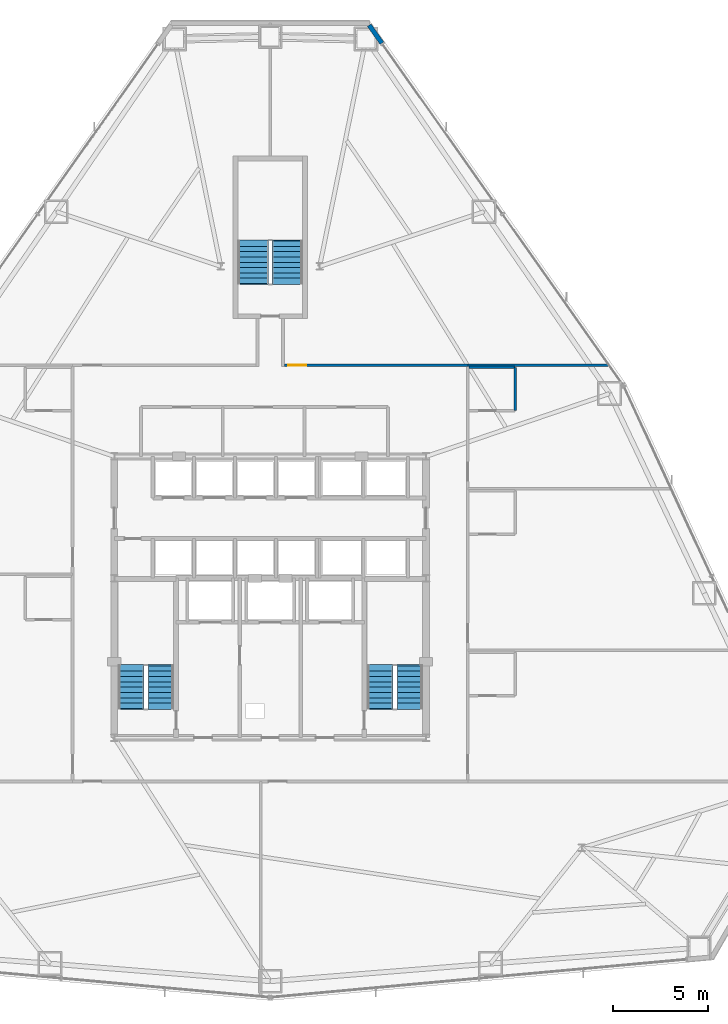
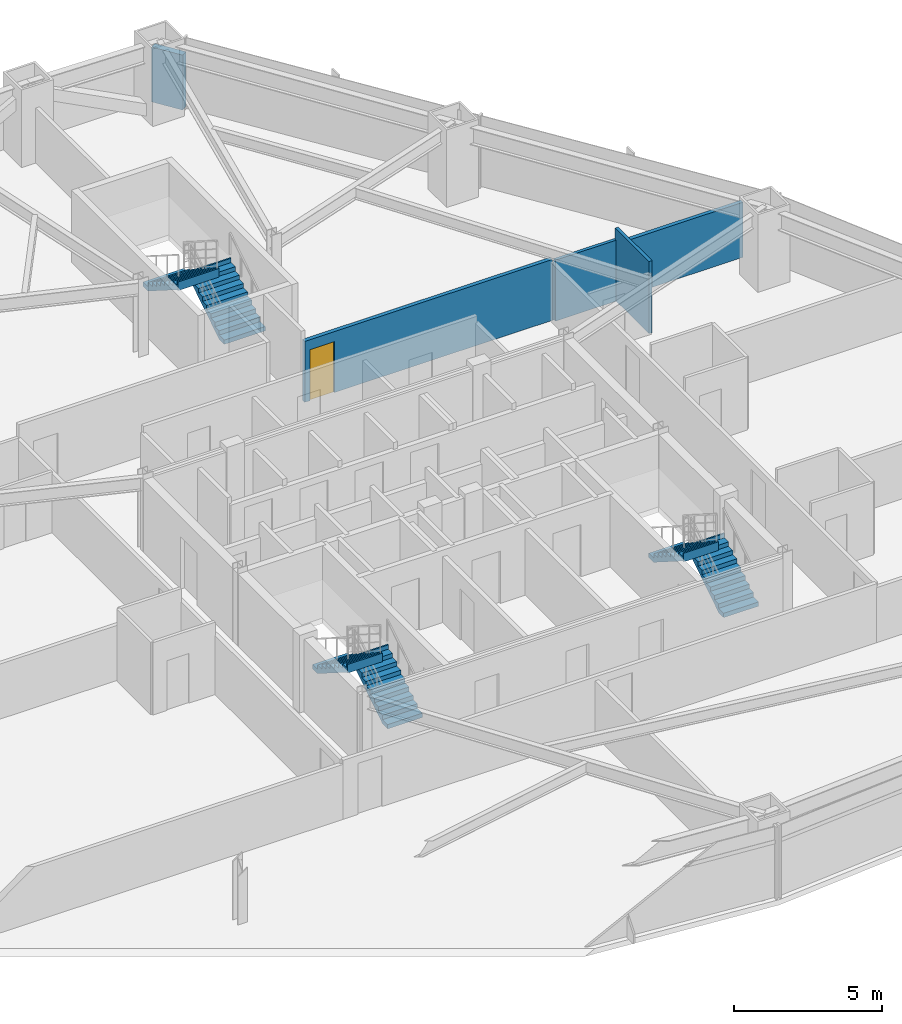
# One storey, part 11 of 12: 6 stair flights, 5 walls, 1 door, 1 opening, 3 elements without a shape of their own.
"""IFC4 building model written with IfcOpenShell, lengths in metres."""

from ifc_helpers import new_model, si_unit, direction, frame, frame_2d, origin, place, context, subcontext, project, spatial, polyline, rectangle, outline, extrude, material, layer, layer_set, type_object, element, fill, aggregate, save


model = new_model("IFC4")

# Units and contexts
model_context = context("Model", 3, precision=1e-05, world=origin(), true_north=direction((0.0, 1.0)))
body_context = subcontext(model_context, "Body", "Model", "MODEL_VIEW")
ifc_project = project(units=[si_unit("LENGTHUNIT", "METRE"), si_unit("AREAUNIT", "SQUARE_METRE"), si_unit("VOLUMEUNIT", "CUBIC_METRE"), si_unit("PLANEANGLEUNIT", "RADIAN"), si_unit("MASSUNIT", "GRAM", prefix="KILO")], contexts=[model_context])

# Site, building, storey
site_placement = place(None, origin())
site = spatial("IfcSite", under=ifc_project, at=site_placement, CompositionType="ELEMENT")
building_placement = place(site_placement, origin())
building = spatial("IfcBuilding", under=site, at=building_placement, Name="Varakhsha Concourse Tower", CompositionType="ELEMENT")
storey_placement = place(building_placement, frame((0.0, 0.0, 40.0)))
storey = spatial("IfcBuildingStorey", under=building, at=storey_placement, Name="L10", CompositionType="ELEMENT", Elevation=40.0)

# Walls
ifc_material_1 = material(Name="Concrete fc 45 MPa", Category="concrete")
ifc_layer_1 = layer(ifc_material_1, 0.239990234375, Name="WL-EXT-CRN-240")
ifc_layer_set_1 = layer_set([ifc_layer_1], Name="Concrete fc 45 MPa")
wall_type_1 = type_object("IfcWallType", Name="WL-EXT-CRN-240", PredefinedType="SHEAR", material=ifc_layer_set_1)
wall_1_placement = place(storey_placement, frame((45.880615234375, 52.94677734375, 0.0), z_axis=(0.0, 0.0, 1.0), x_axis=(-0.576559495442, 0.817055168404, 0.0)))
element("IfcWall", 1, at=wall_1_placement, inside=storey, type_object=wall_type_1, Name="L10 Wind-Corner Shoulder Wall F9", PredefinedType="SHEAR", context=body_context, shape_type="SweptSolid", body=[
    extrude(rectangle(XDim=1.162353515625, YDim=0.239990234375, at=frame_2d((0.5810546875, 0.0))), origin(), (0.0, 0.0, 1.0), 2.262939453125),
])
ifc_material_2 = material(Name="Acoustic Gypsum Board Partition Assembly", Category="gypsum")
ifc_layer_2 = layer(ifc_material_2, 0.1201171875, Name="WL-PART-120")
ifc_layer_set_2 = layer_set([ifc_layer_2], Name="Acoustic Gypsum Board Partition Assembly")
wall_type_2 = type_object("IfcWallType", Name="WL-PART-120", PredefinedType="PARTITIONING", material=ifc_layer_set_2)
wall_2_placement = place(storey_placement, frame((52.889892578125, 33.610107421875, 0.0), z_axis=(0.0, 0.0, 1.0), x_axis=(0.0, 1.0, 0.0)))
element("IfcWall", 2, at=wall_2_placement, inside=storey, type_object=wall_type_2, Name="L10 Wall ENSW-E-L10-H07", PredefinedType="PARTITIONING", context=body_context, shape_type="SweptSolid", body=[
    extrude(rectangle(XDim=2.27978515625, YDim=0.1201171875, at=frame_2d((1.139892578125, 0.0))), origin(), (0.0, 0.0, 1.0), 2.97998046875),
])
wall_3_placement = place(storey_placement, frame((50.4599609375, 35.889892578125, 0.0), z_axis=(0.0, 0.0, 1.0), x_axis=(1.0, 0.0, 0.0)))
element("IfcWall", 3, at=wall_3_placement, inside=storey, type_object=wall_type_2, Name="L10 Wall ENSW-N-L10-H07", PredefinedType="PARTITIONING", context=body_context, shape_type="SweptSolid", body=[
    extrude(rectangle(XDim=2.429931640625, YDim=0.1201171875, at=frame_2d((1.21484375, 0.0))), origin(), (0.0, 0.0, 1.0), 2.512939453125),
])

# Wall, opening, door
ifc_material_3 = material(Name="Fire-Rated Type X Gypsum Partition Assembly", Category="gypsum")
ifc_layer_3 = layer(ifc_material_3, 0.14990234375, Name="WL-PART-150")
ifc_layer_set_3 = layer_set([ifc_layer_3], Name="Fire-Rated Type X Gypsum Partition Assembly")
wall_type_3 = type_object("IfcWallType", Name="WL-PART-150", PredefinedType="PARTITIONING", material=ifc_layer_set_3)
wall_4_placement = place(storey_placement, frame((40.75, 36.0, 0.0), z_axis=(0.0, 0.0, 1.0), x_axis=(1.0, 0.0, 0.0)))
wall_4 = element("IfcWall", 4, at=wall_4_placement, inside=storey, type_object=wall_type_3, Name="L10 Wall CRW-N-L10-B", PredefinedType="PARTITIONING", context=body_context, shape_type="SweptSolid", body=[
    extrude(rectangle(XDim=9.64990234375, YDim=0.14990234375, at=frame_2d((4.824951171875, 0.0))), origin(), (0.0, 0.0, 1.0), 2.512939453125),
])
opening_placement = place(wall_4_placement, frame((0.199951171875, 0.0, 0.0)))
opening = element("IfcOpeningElement", 5, at=opening_placement, cuts=wall_4, Name="Opening DF-05", PredefinedType="OPENING", context=body_context, shape_type="SweptSolid", body=[
    extrude(rectangle(XDim=0.949951171875, YDim=2.10009765625, at=frame_2d((0.47509765625, 1.050048828125))), frame((0.0, 0.0849609375, 0.0), z_axis=(0.0, -1.0, 0.0), x_axis=(1.0, 0.0, 0.0)), (0.0, 0.0, 1.0), 0.169921875),
])
ifc_material_4 = material(Name="Hollow Galvanised Steel Fire Door Assembly", Category="steel")
door_type = type_object("IfcDoorType", Name="DR-FD60-950", OperationType="NOTDEFINED", PredefinedType="DOOR", material=ifc_material_4)
door_placement = place(opening_placement, origin())
door = element("IfcDoor", 6, at=door_placement, inside=storey, type_object=door_type, Name="L10 Hotel Executive Salon L10-H09 Door", OperationType="SINGLE_SWING_LEFT", OverallHeight=2.10009765625, OverallWidth=0.949951171875, PredefinedType="DOOR", context=body_context, shape_type="SweptSolid", body=[
    extrude(rectangle(XDim=0.949951171875, YDim=2.10009765625, at=frame_2d((0.47509765625, 1.050048828125))), frame((0.0, 0.02490234375, 0.0), z_axis=(0.0, -1.0, 0.0), x_axis=(1.0, 0.0, 0.0)), (0.0, 0.0, 1.0), 0.050048828125),
])
fill(opening, door)

# Wall
wall_5_placement = place(storey_placement, frame((50.39990234375, 36.0, 0.0), z_axis=(0.0, 0.0, 1.0), x_axis=(1.0, 0.0, 0.0)))
element("IfcWall", 7, at=wall_5_placement, inside=storey, type_object=wall_type_3, Name="L10 Wall HDIV-EBN-L10", PredefinedType="PARTITIONING", context=body_context, shape_type="SweptSolid", body=[
    extrude(rectangle(XDim=7.434326171875, YDim=0.14990234375, at=frame_2d((3.71728515625, 0.0))), origin(), (0.0, 0.0, 1.0), 2.26806640625),
])

# Stair, stair flights
stair_type_1 = type_object("IfcStairType", Name="ST-DOGLEG-1360", PredefinedType="HALF_TURN_STAIR", material=ifc_material_1)
stair_1_placement = place(storey_placement, origin())
stair_1 = element("IfcStair", 8, at=stair_1_placement, inside=storey, type_object=stair_type_1, Name="L10 Protected Exit Stair ST1", PredefinedType="HALF_TURN_STAIR")
stair_flight_type_1 = type_object("IfcStairFlightType", Name="STF-1360-R1778", PredefinedType="STRAIGHT", material=ifc_material_1)
stair_flight_1_placement = place(storey_placement, frame((34.239990234375, 17.93994140625, 0.0), z_axis=(0.0, 0.0, 1.0), x_axis=(0.0, 1.0, 0.0)))
stair_flight_1 = element("IfcStairFlight", 9, at=stair_flight_1_placement, type_object=stair_flight_type_1, Name="ST1 flight 1", NumberOfRisers=9, NumberOfTreads=8, PredefinedType="STRAIGHT", RiserHeight=0.177777778, TreadLength=0.28, context=body_context, shape_type="SweptSolid", body=[
    extrude(outline(polyline([(-0.06005859375, 0.0), (-0.06005859375, 0.177734375), (0.0, 0.177734375), (0.280029296875, 0.177734375), (0.280029296875, 0.35546875), (0.56005859375, 0.35546875), (0.56005859375, 0.533447265625), (0.840087890625, 0.533447265625), (0.840087890625, 0.711181640625), (1.1201171875, 0.711181640625), (1.1201171875, 0.888916015625), (1.39990234375, 0.888916015625), (1.39990234375, 1.066650390625), (1.679931640625, 1.066650390625), (1.679931640625, 1.244384765625), (1.9599609375, 1.244384765625), (1.9599609375, 1.422119140625), (2.239990234375, 1.422119140625), (2.239990234375, 1.60009765625), (2.300048828125, 1.60009765625), (2.300048828125, 1.24462890625), (2.239990234375, 1.24462890625), (0.27978515625, 0.0), (-0.06005859375, 0.0)])), frame((0.0, 0.68017578125, 0.0), z_axis=(0.0, -1.0, 0.0), x_axis=(1.0, 0.0, 0.0)), (0.0, 0.0, 1.0), 1.360107421875),
])
stair_flight_2_placement = place(storey_placement, frame((32.679931640625, 20.179931640625, 1.60009765625), z_axis=(0.0, 0.0, 1.0), x_axis=(0.0, -1.0, 0.0)))
stair_flight_2 = element("IfcStairFlight", 10, at=stair_flight_2_placement, type_object=stair_flight_type_1, Name="ST1 flight 2", NumberOfRisers=9, NumberOfTreads=8, PredefinedType="STRAIGHT", RiserHeight=0.177777778, TreadLength=0.28, context=body_context, shape_type="SweptSolid", body=[
    extrude(outline(polyline([(-0.06005859375, 0.0), (-0.06005859375, 0.177734375), (0.0, 0.177734375), (0.280029296875, 0.177734375), (0.280029296875, 0.35546875), (0.56005859375, 0.35546875), (0.56005859375, 0.533447265625), (0.840087890625, 0.533447265625), (0.840087890625, 0.711181640625), (1.1201171875, 0.711181640625), (1.1201171875, 0.888916015625), (1.39990234375, 0.888916015625), (1.39990234375, 1.066650390625), (1.679931640625, 1.066650390625), (1.679931640625, 1.244384765625), (1.9599609375, 1.244384765625), (1.9599609375, 1.422119140625), (2.239990234375, 1.422119140625), (2.239990234375, 1.60009765625), (2.300048828125, 1.60009765625), (2.300048828125, 1.24462890625), (2.239990234375, 1.24462890625), (0.27978515625, 0.0), (-0.06005859375, 0.0)])), frame((0.0, 0.68017578125, 0.0), z_axis=(0.0, -1.0, 0.0), x_axis=(1.0, 0.0, 0.0)), (0.0, 0.0, 1.0), 1.360107421875),
])
aggregate(stair_1, [stair_flight_1, stair_flight_2])

stair_2_placement = place(storey_placement, origin())
stair_2 = element("IfcStair", 11, at=stair_2_placement, inside=storey, type_object=stair_type_1, Name="L10 Protected Exit Stair ST2", PredefinedType="HALF_TURN_STAIR")
stair_flight_3_placement = place(storey_placement, frame((47.340087890625, 17.93994140625, 0.0), z_axis=(0.0, 0.0, 1.0), x_axis=(0.0, 1.0, 0.0)))
stair_flight_3 = element("IfcStairFlight", 12, at=stair_flight_3_placement, type_object=stair_flight_type_1, Name="ST2 flight 1", NumberOfRisers=9, NumberOfTreads=8, PredefinedType="STRAIGHT", RiserHeight=0.177777778, TreadLength=0.28, context=body_context, shape_type="SweptSolid", body=[
    extrude(outline(polyline([(-0.06005859375, 0.0), (-0.06005859375, 0.177734375), (0.0, 0.177734375), (0.280029296875, 0.177734375), (0.280029296875, 0.35546875), (0.56005859375, 0.35546875), (0.56005859375, 0.533447265625), (0.840087890625, 0.533447265625), (0.840087890625, 0.711181640625), (1.1201171875, 0.711181640625), (1.1201171875, 0.888916015625), (1.39990234375, 0.888916015625), (1.39990234375, 1.066650390625), (1.679931640625, 1.066650390625), (1.679931640625, 1.244384765625), (1.9599609375, 1.244384765625), (1.9599609375, 1.422119140625), (2.239990234375, 1.422119140625), (2.239990234375, 1.60009765625), (2.300048828125, 1.60009765625), (2.300048828125, 1.24462890625), (2.239990234375, 1.24462890625), (0.27978515625, 0.0), (-0.06005859375, 0.0)])), frame((0.0, 0.68017578125, 0.0), z_axis=(0.0, -1.0, 0.0), x_axis=(1.0, 0.0, 0.0)), (0.0, 0.0, 1.0), 1.360107421875),
])
stair_flight_4_placement = place(storey_placement, frame((45.780029296875, 20.179931640625, 1.60009765625), z_axis=(0.0, 0.0, 1.0), x_axis=(0.0, -1.0, 0.0)))
stair_flight_4 = element("IfcStairFlight", 13, at=stair_flight_4_placement, type_object=stair_flight_type_1, Name="ST2 flight 2", NumberOfRisers=9, NumberOfTreads=8, PredefinedType="STRAIGHT", RiserHeight=0.177777778, TreadLength=0.28, context=body_context, shape_type="SweptSolid", body=[
    extrude(outline(polyline([(-0.06005859375, 0.0), (-0.06005859375, 0.177734375), (0.0, 0.177734375), (0.280029296875, 0.177734375), (0.280029296875, 0.35546875), (0.56005859375, 0.35546875), (0.56005859375, 0.533447265625), (0.840087890625, 0.533447265625), (0.840087890625, 0.711181640625), (1.1201171875, 0.711181640625), (1.1201171875, 0.888916015625), (1.39990234375, 0.888916015625), (1.39990234375, 1.066650390625), (1.679931640625, 1.066650390625), (1.679931640625, 1.244384765625), (1.9599609375, 1.244384765625), (1.9599609375, 1.422119140625), (2.239990234375, 1.422119140625), (2.239990234375, 1.60009765625), (2.300048828125, 1.60009765625), (2.300048828125, 1.24462890625), (2.239990234375, 1.24462890625), (0.27978515625, 0.0), (-0.06005859375, 0.0)])), frame((0.0, 0.68017578125, 0.0), z_axis=(0.0, -1.0, 0.0), x_axis=(1.0, 0.0, 0.0)), (0.0, 0.0, 1.0), 1.360107421875),
])
aggregate(stair_2, [stair_flight_3, stair_flight_4])

stair_type_2 = type_object("IfcStairType", Name="ST-DOGLEG-1600", PredefinedType="HALF_TURN_STAIR", material=ifc_material_1)
stair_3_placement = place(storey_placement, origin())
stair_3 = element("IfcStair", 14, at=stair_3_placement, inside=storey, type_object=stair_type_2, Name="L10 Protected Exit Stair ST5", PredefinedType="HALF_TURN_STAIR")
stair_flight_type_2 = type_object("IfcStairFlightType", Name="STF-1600-R1778", PredefinedType="STRAIGHT", material=ifc_material_1)
stair_flight_5_placement = place(storey_placement, frame((40.89990234375, 40.300048828125, 0.0), z_axis=(0.0, 0.0, 1.0), x_axis=(0.0, 1.0, 0.0)))
stair_flight_5 = element("IfcStairFlight", 15, at=stair_flight_5_placement, type_object=stair_flight_type_2, Name="ST5 flight 1", NumberOfRisers=9, NumberOfTreads=8, PredefinedType="STRAIGHT", RiserHeight=0.177777778, TreadLength=0.28, context=body_context, shape_type="SweptSolid", body=[
    extrude(outline(polyline([(-0.06005859375, 0.0), (-0.06005859375, 0.177734375), (0.0, 0.177734375), (0.280029296875, 0.177734375), (0.280029296875, 0.35546875), (0.56005859375, 0.35546875), (0.56005859375, 0.533447265625), (0.840087890625, 0.533447265625), (0.840087890625, 0.711181640625), (1.1201171875, 0.711181640625), (1.1201171875, 0.888916015625), (1.39990234375, 0.888916015625), (1.39990234375, 1.066650390625), (1.679931640625, 1.066650390625), (1.679931640625, 1.244384765625), (1.9599609375, 1.244384765625), (1.9599609375, 1.422119140625), (2.239990234375, 1.422119140625), (2.239990234375, 1.60009765625), (2.300048828125, 1.60009765625), (2.300048828125, 1.24462890625), (2.239990234375, 1.24462890625), (0.27978515625, 0.0), (-0.06005859375, 0.0)])), frame((0.0, 0.800048828125, 0.0), z_axis=(0.0, -1.0, 0.0), x_axis=(1.0, 0.0, 0.0)), (0.0, 0.0, 1.0), 1.60009765625),
])
stair_flight_6_placement = place(storey_placement, frame((39.10009765625, 42.5400390625, 1.60009765625), z_axis=(0.0, 0.0, 1.0), x_axis=(0.0, -1.0, 0.0)))
stair_flight_6 = element("IfcStairFlight", 16, at=stair_flight_6_placement, type_object=stair_flight_type_2, Name="ST5 flight 2", NumberOfRisers=9, NumberOfTreads=8, PredefinedType="STRAIGHT", RiserHeight=0.177777778, TreadLength=0.28, context=body_context, shape_type="SweptSolid", body=[
    extrude(outline(polyline([(-0.06005859375, 0.0), (-0.06005859375, 0.177734375), (0.0, 0.177734375), (0.280029296875, 0.177734375), (0.280029296875, 0.35546875), (0.56005859375, 0.35546875), (0.56005859375, 0.533447265625), (0.840087890625, 0.533447265625), (0.840087890625, 0.711181640625), (1.1201171875, 0.711181640625), (1.1201171875, 0.888916015625), (1.39990234375, 0.888916015625), (1.39990234375, 1.066650390625), (1.679931640625, 1.066650390625), (1.679931640625, 1.244384765625), (1.9599609375, 1.244384765625), (1.9599609375, 1.422119140625), (2.239990234375, 1.422119140625), (2.239990234375, 1.60009765625), (2.300048828125, 1.60009765625), (2.300048828125, 1.24462890625), (2.239990234375, 1.24462890625), (0.27978515625, 0.0), (-0.06005859375, 0.0)])), frame((0.0, 0.800048828125, 0.0), z_axis=(0.0, -1.0, 0.0), x_axis=(1.0, 0.0, 0.0)), (0.0, 0.0, 1.0), 1.60009765625),
])
aggregate(stair_3, [stair_flight_5, stair_flight_6])

save(model, "model.ifc")
